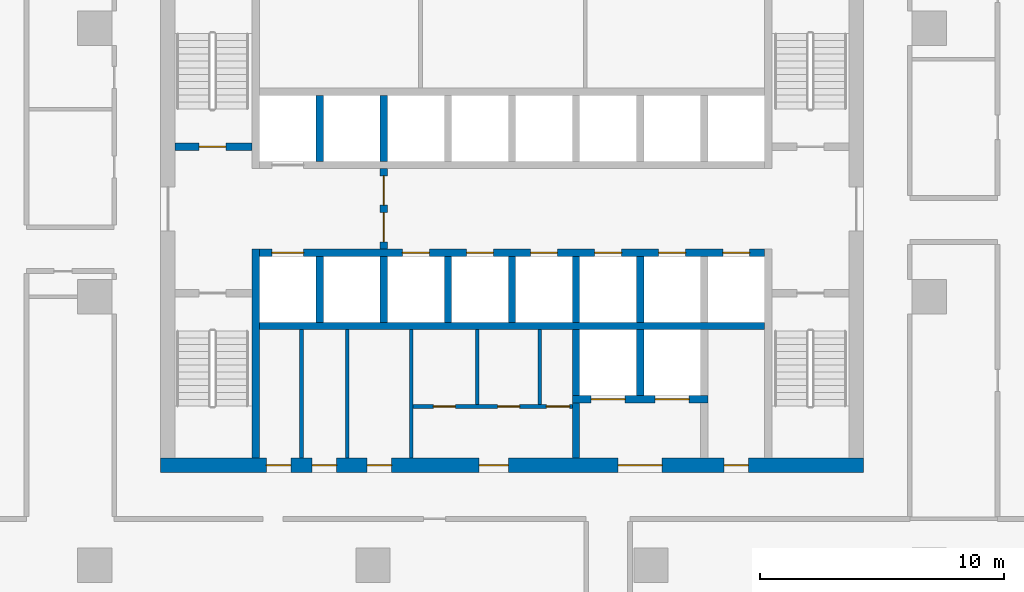
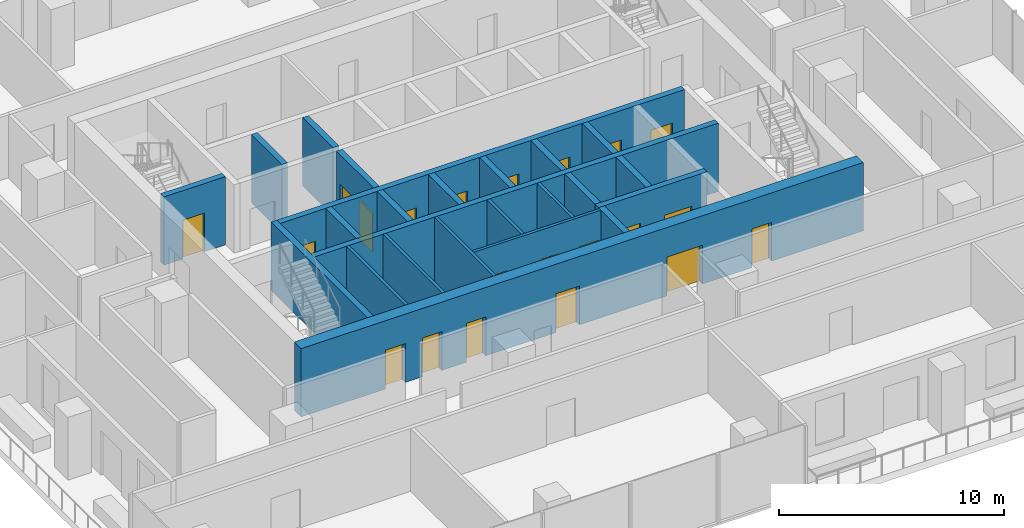
# One storey, part 8 of 14: 24 walls, 21 doors, 21 openings.
"""IFC4 building model written with IfcOpenShell, lengths in metres."""

from ifc_helpers import new_model, si_unit, direction, frame, frame_2d, origin, place, context, subcontext, project, spatial, rectangle, extrude, material, layer, layer_set, type_object, element, fill, save


model = new_model("IFC4")

# Units and contexts
model_context = context("Model", 3, precision=1e-05, world=origin(), true_north=direction((0.0, 1.0)))
body_context = subcontext(model_context, "Body", "Model", "MODEL_VIEW")
ifc_project = project(units=[si_unit("LENGTHUNIT", "METRE"), si_unit("AREAUNIT", "SQUARE_METRE"), si_unit("VOLUMEUNIT", "CUBIC_METRE"), si_unit("PLANEANGLEUNIT", "RADIAN"), si_unit("MASSUNIT", "GRAM", prefix="KILO")], contexts=[model_context])

# Site, building, storey
site_placement = place(None, origin())
site = spatial("IfcSite", under=ifc_project, at=site_placement, CompositionType="ELEMENT")
building_placement = place(site_placement, origin())
building = spatial("IfcBuilding", under=site, at=building_placement, Name="Mopane Tessera Tower", CompositionType="ELEMENT")
storey_placement = place(building_placement, frame((0.0, 0.0, 201.0)))
storey = spatial("IfcBuildingStorey", under=building, at=storey_placement, Name="L42", CompositionType="ELEMENT", Elevation=201.0)

# Walls
ifc_material_1 = material(Name="Fire-rated gypsum board partition")
ifc_layer_1 = layer(ifc_material_1, 0.14990234375)
ifc_layer_set_1 = layer_set([ifc_layer_1], Name="Fire-rated gypsum board partition")
wall_type_1 = type_object("IfcWallType", Name="Core room partition 150 mm", PredefinedType="PARTITIONING", material=ifc_layer_set_1)
for number, where, z_axis, x_axis, name in (
    (1, (-8.625, -6.60009765625, 0.0), (0.0, 0.0, 1.0), (0.0, 1.0, 0.0), "L42 Room partition"),
    (2, (-6.75, -6.60009765625, 0.0), (0.0, 0.0, 1.0), (0.0, 1.0, 0.0), "L42 Room partition"),
    (3, (-4.125, -6.60009765625, 0.0), (0.0, 0.0, 1.0), (0.0, 1.0, 0.0), "L42 Room partition"),
):
    element("IfcWall", number, at=place(storey_placement, frame(where, z_axis=z_axis, x_axis=x_axis)), inside=storey, type_object=wall_type_1, Name=name, PredefinedType="PARTITIONING", context=body_context, shape_type="SweptSolid", body=[
        extrude(rectangle(XDim=5.25, YDim=0.14990234375, at=frame_2d((2.625, 0.0))), origin(), (0.0, 0.0, 1.0), 3.699951171875),
    ])

# Wall, openings, doors
wall_1_placement = place(storey_placement, frame((-4.050048828125, -4.5, 0.0), z_axis=(0.0, 0.0, 1.0), x_axis=(1.0, 0.0, 0.0)))
wall_1 = element("IfcWall", 4, at=wall_1_placement, inside=storey, type_object=wall_type_1, Name="L42 WC partition", PredefinedType="PARTITIONING", context=body_context, shape_type="SweptSolid", body=[
    extrude(rectangle(XDim=6.525146484375, YDim=0.14990234375, at=frame_2d((3.2626953125, 0.0))), origin(), (0.0, 0.0, 1.0), 3.699951171875),
])
opening_1_placement = place(wall_1_placement, frame((0.824951171875, 0.0, 0.0)))
opening_1 = element("IfcOpeningElement", 5, at=opening_1_placement, cuts=wall_1, Name="Opening WD1", PredefinedType="OPENING", context=body_context, shape_type="SweptSolid", body=[
    extrude(rectangle(XDim=0.89990234375, YDim=2.10009765625, at=frame_2d((0.449951171875, 1.050048828125))), frame((0.0, 0.0869140625, 0.0), z_axis=(0.0, -1.0, 0.0), x_axis=(1.0, 0.0, 0.0)), (0.0, 0.0, 1.0), 0.173828125),
])
opening_2_placement = place(wall_1_placement, frame((3.45751953125, 0.0, 0.0)))
opening_2 = element("IfcOpeningElement", 6, at=opening_2_placement, cuts=wall_1, Name="Opening WD1", PredefinedType="OPENING", context=body_context, shape_type="SweptSolid", body=[
    extrude(rectangle(XDim=0.89990234375, YDim=2.10009765625, at=frame_2d((0.449951171875, 1.050048828125))), frame((0.0, 0.0869140625, 0.0), z_axis=(0.0, -1.0, 0.0), x_axis=(1.0, 0.0, 0.0)), (0.0, 0.0, 1.0), 0.173828125),
])
opening_3_placement = place(wall_1_placement, frame((5.45751953125, 0.0, 0.0)))
opening_3 = element("IfcOpeningElement", 7, at=opening_3_placement, cuts=wall_1, Name="Opening WD2", PredefinedType="OPENING", context=body_context, shape_type="SweptSolid", body=[
    extrude(rectangle(XDim=0.949951171875, YDim=2.10009765625, at=frame_2d((0.47509765625, 1.050048828125))), frame((0.0, 0.0869140625, 0.0), z_axis=(0.0, -1.0, 0.0), x_axis=(1.0, 0.0, 0.0)), (0.0, 0.0, 1.0), 0.173828125),
])
ifc_material_2 = material(Name="Timber door", Category="wood")
door_type_1 = type_object("IfcDoorType", Name="Accessible WC door 950 x 2100", OperationType="SINGLE_SWING_LEFT", PredefinedType="DOOR", material=ifc_material_2)
door_1_placement = place(opening_3_placement, origin())
door_1 = element("IfcDoor", 8, at=door_1_placement, inside=storey, type_object=door_type_1, Name="L42 Accessible WC door", OperationType="SINGLE_SWING_LEFT", OverallHeight=2.10009765625, OverallWidth=0.949951171875, PredefinedType="DOOR", context=body_context, shape_type="SweptSolid", body=[
    extrude(rectangle(XDim=0.949951171875, YDim=2.10009765625, at=frame_2d((0.47509765625, 1.050048828125))), frame((0.0, 0.02490234375, 0.0), z_axis=(0.0, -1.0, 0.0), x_axis=(1.0, 0.0, 0.0)), (0.0, 0.0, 1.0), 0.050048828125),
])
fill(opening_3, door_1)
ifc_material_3 = material(Name="Timber door", Category="wood")
door_type_2 = type_object("IfcDoorType", Name="WC cubicle door 900 x 2100", OperationType="SINGLE_SWING_LEFT", PredefinedType="DOOR", material=ifc_material_3)
door_2_placement = place(opening_1_placement, origin())
door_2 = element("IfcDoor", 9, at=door_2_placement, inside=storey, type_object=door_type_2, Name="L42 Men's WC door", OperationType="SINGLE_SWING_LEFT", OverallHeight=2.10009765625, OverallWidth=0.89990234375, PredefinedType="DOOR", context=body_context, shape_type="SweptSolid", body=[
    extrude(rectangle(XDim=0.89990234375, YDim=2.10009765625, at=frame_2d((0.449951171875, 1.050048828125))), frame((0.0, 0.02490234375, 0.0), z_axis=(0.0, -1.0, 0.0), x_axis=(1.0, 0.0, 0.0)), (0.0, 0.0, 1.0), 0.050048828125),
])
fill(opening_1, door_2)
door_3_placement = place(opening_2_placement, origin())
door_3 = element("IfcDoor", 10, at=door_3_placement, inside=storey, type_object=door_type_2, Name="L42 Women's WC door", OperationType="SINGLE_SWING_LEFT", OverallHeight=2.10009765625, OverallWidth=0.89990234375, PredefinedType="DOOR", context=body_context, shape_type="SweptSolid", body=[
    extrude(rectangle(XDim=0.89990234375, YDim=2.10009765625, at=frame_2d((0.449951171875, 1.050048828125))), frame((0.0, 0.02490234375, 0.0), z_axis=(0.0, -1.0, 0.0), x_axis=(1.0, 0.0, 0.0)), (0.0, 0.0, 1.0), 0.050048828125),
])
fill(opening_2, door_3)

# Walls
for number, where, z_axis, x_axis, name in (
    (11, (-1.425048828125, -4.425048828125, 0.0), (0.0, 0.0, 1.0), (0.0, 1.0, 0.0), "L42 WC partition"),
    (12, (1.139892578125, -4.425048828125, 0.0), (0.0, 0.0, 1.0), (0.0, 1.0, 0.0), "L42 WC partition"),
):
    element("IfcWall", number, at=place(storey_placement, frame(where, z_axis=z_axis, x_axis=x_axis)), inside=storey, type_object=wall_type_1, Name=name, PredefinedType="PARTITIONING", context=body_context, shape_type="SweptSolid", body=[
        extrude(rectangle(XDim=3.074951171875, YDim=0.14990234375, at=frame_2d((1.53759765625, 0.0))), origin(), (0.0, 0.0, 1.0), 3.699951171875),
    ])

# Wall, openings, doors
ifc_material_4 = material(Name="Concrete C70/85", Category="concrete")
ifc_layer_2 = layer(ifc_material_4, 0.60009765625)
ifc_layer_set_2 = layer_set([ifc_layer_2], Name="Concrete C70/85")
wall_type_2 = type_object("IfcWallType", Name="Core shear wall 600 mm", PredefinedType="SHEAR", material=ifc_layer_set_2)
wall_2_placement = place(storey_placement, frame((-14.39990234375, -6.89990234375, 0.0), z_axis=(0.0, 0.0, 1.0), x_axis=(1.0, 0.0, 0.0)))
wall_2 = element("IfcWall", 13, at=wall_2_placement, inside=storey, type_object=wall_type_2, Name="L42 Core wall south", PredefinedType="SHEAR", context=body_context, shape_type="SweptSolid", body=[
    extrude(rectangle(XDim=28.7998046875, YDim=0.60009765625, at=frame_2d((14.39990234375, 0.0))), origin(), (0.0, 0.0, 1.0), 3.699951171875),
])
opening_4_placement = place(wall_2_placement, frame((4.33740234375, 0.0, 0.0)))
opening_4 = element("IfcOpeningElement", 14, at=opening_4_placement, cuts=wall_2, Name="Opening RD1", PredefinedType="OPENING", context=body_context, shape_type="SweptSolid", body=[
    extrude(rectangle(XDim=1.0, YDim=2.10009765625, at=frame_2d((0.5, 1.050048828125))), frame((0.0, 0.31201171875, 0.0), z_axis=(0.0, -1.0, 0.0), x_axis=(1.0, 0.0, 0.0)), (0.0, 0.0, 1.0), 0.6240234375),
])
opening_5_placement = place(wall_2_placement, frame((6.21240234375, 0.0, 0.0)))
opening_5 = element("IfcOpeningElement", 15, at=opening_5_placement, cuts=wall_2, Name="Opening RD1", PredefinedType="OPENING", context=body_context, shape_type="SweptSolid", body=[
    extrude(rectangle(XDim=1.0, YDim=2.10009765625, at=frame_2d((0.5, 1.050048828125))), frame((0.0, 0.31201171875, 0.0), z_axis=(0.0, -1.0, 0.0), x_axis=(1.0, 0.0, 0.0)), (0.0, 0.0, 1.0), 0.6240234375),
])
opening_6_placement = place(wall_2_placement, frame((8.46240234375, 0.0, 0.0)))
opening_6 = element("IfcOpeningElement", 16, at=opening_6_placement, cuts=wall_2, Name="Opening RD1", PredefinedType="OPENING", context=body_context, shape_type="SweptSolid", body=[
    extrude(rectangle(XDim=1.0, YDim=2.10009765625, at=frame_2d((0.5, 1.050048828125))), frame((0.0, 0.31201171875, 0.0), z_axis=(0.0, -1.0, 0.0), x_axis=(1.0, 0.0, 0.0)), (0.0, 0.0, 1.0), 0.6240234375),
])
opening_7_placement = place(wall_2_placement, frame((13.050048828125, 0.0, 0.0)))
opening_7 = element("IfcOpeningElement", 17, at=opening_7_placement, cuts=wall_2, Name="Opening WD3", PredefinedType="OPENING", context=body_context, shape_type="SweptSolid", body=[
    extrude(rectangle(XDim=1.199951171875, YDim=2.10009765625, at=frame_2d((0.60009765625, 1.050048828125))), frame((0.0, 0.31201171875, 0.0), z_axis=(0.0, -1.0, 0.0), x_axis=(1.0, 0.0, 0.0)), (0.0, 0.0, 1.0), 0.6240234375),
])
opening_8_placement = place(wall_2_placement, frame((18.75, 0.0, 0.0)))
opening_8 = element("IfcOpeningElement", 18, at=opening_8_placement, cuts=wall_2, Name="Opening SD2", PredefinedType="OPENING", context=body_context, shape_type="SweptSolid", body=[
    extrude(rectangle(XDim=1.800048828125, YDim=2.10009765625, at=frame_2d((0.89990234375, 1.050048828125))), frame((0.0, 0.31201171875, 0.0), z_axis=(0.0, -1.0, 0.0), x_axis=(1.0, 0.0, 0.0)), (0.0, 0.0, 1.0), 0.6240234375),
])
opening_9_placement = place(wall_2_placement, frame((23.08740234375, 0.0, 0.0)))
opening_9 = element("IfcOpeningElement", 19, at=opening_9_placement, cuts=wall_2, Name="Opening RD1", PredefinedType="OPENING", context=body_context, shape_type="SweptSolid", body=[
    extrude(rectangle(XDim=1.0, YDim=2.10009765625, at=frame_2d((0.5, 1.050048828125))), frame((0.0, 0.31201171875, 0.0), z_axis=(0.0, -1.0, 0.0), x_axis=(1.0, 0.0, 0.0)), (0.0, 0.0, 1.0), 0.6240234375),
])
ifc_material_5 = material(Name="Steel fire door", Category="steel")
door_type_3 = type_object("IfcDoorType", Name="Core entrance double door 1800 x 2100", OperationType="DOUBLE_DOOR_SINGLE_SWING", PredefinedType="DOOR", material=ifc_material_5)
door_4_placement = place(opening_8_placement, origin())
door_4 = element("IfcDoor", 20, at=door_4_placement, inside=storey, type_object=door_type_3, Name="L42 Service lobby door", OperationType="DOUBLE_DOOR_SINGLE_SWING", OverallHeight=2.10009765625, OverallWidth=1.800048828125, PredefinedType="DOOR", context=body_context, shape_type="SweptSolid", body=[
    extrude(rectangle(XDim=1.800048828125, YDim=2.10009765625, at=frame_2d((0.89990234375, 1.050048828125))), frame((0.0, 0.02490234375, 0.0), z_axis=(0.0, -1.0, 0.0), x_axis=(1.0, 0.0, 0.0)), (0.0, 0.0, 1.0), 0.050048828125),
])
fill(opening_8, door_4)
ifc_material_6 = material(Name="Timber door", Category="wood")
door_type_4 = type_object("IfcDoorType", Name="Core room door 1000 x 2100", OperationType="SINGLE_SWING_LEFT", PredefinedType="DOOR", material=ifc_material_6)
door_5_placement = place(opening_4_placement, origin())
door_5 = element("IfcDoor", 21, at=door_5_placement, inside=storey, type_object=door_type_4, Name="L42 Room door", OperationType="SINGLE_SWING_LEFT", OverallHeight=2.10009765625, OverallWidth=1.0, PredefinedType="DOOR", context=body_context, shape_type="SweptSolid", body=[
    extrude(rectangle(XDim=1.0, YDim=2.10009765625, at=frame_2d((0.5, 1.050048828125))), frame((0.0, 0.02490234375, 0.0), z_axis=(0.0, -1.0, 0.0), x_axis=(1.0, 0.0, 0.0)), (0.0, 0.0, 1.0), 0.050048828125),
])
fill(opening_4, door_5)
door_6_placement = place(opening_5_placement, origin())
door_6 = element("IfcDoor", 22, at=door_6_placement, inside=storey, type_object=door_type_4, Name="L42 Room door", OperationType="SINGLE_SWING_LEFT", OverallHeight=2.10009765625, OverallWidth=1.0, PredefinedType="DOOR", context=body_context, shape_type="SweptSolid", body=[
    extrude(rectangle(XDim=1.0, YDim=2.10009765625, at=frame_2d((0.5, 1.050048828125))), frame((0.0, 0.02490234375, 0.0), z_axis=(0.0, -1.0, 0.0), x_axis=(1.0, 0.0, 0.0)), (0.0, 0.0, 1.0), 0.050048828125),
])
fill(opening_5, door_6)
door_7_placement = place(opening_6_placement, origin())
door_7 = element("IfcDoor", 23, at=door_7_placement, inside=storey, type_object=door_type_4, Name="L42 Room door", OperationType="SINGLE_SWING_LEFT", OverallHeight=2.10009765625, OverallWidth=1.0, PredefinedType="DOOR", context=body_context, shape_type="SweptSolid", body=[
    extrude(rectangle(XDim=1.0, YDim=2.10009765625, at=frame_2d((0.5, 1.050048828125))), frame((0.0, 0.02490234375, 0.0), z_axis=(0.0, -1.0, 0.0), x_axis=(1.0, 0.0, 0.0)), (0.0, 0.0, 1.0), 0.050048828125),
])
fill(opening_6, door_7)
door_8_placement = place(opening_9_placement, origin())
door_8 = element("IfcDoor", 24, at=door_8_placement, inside=storey, type_object=door_type_4, Name="L42 Room door", OperationType="SINGLE_SWING_LEFT", OverallHeight=2.10009765625, OverallWidth=1.0, PredefinedType="DOOR", context=body_context, shape_type="SweptSolid", body=[
    extrude(rectangle(XDim=1.0, YDim=2.10009765625, at=frame_2d((0.5, 1.050048828125))), frame((0.0, 0.02490234375, 0.0), z_axis=(0.0, -1.0, 0.0), x_axis=(1.0, 0.0, 0.0)), (0.0, 0.0, 1.0), 0.050048828125),
])
fill(opening_9, door_8)
ifc_material_7 = material(Name="Timber door", Category="wood")
door_type_5 = type_object("IfcDoorType", Name="WC lobby door 1200 x 2100", OperationType="SINGLE_SWING_LEFT", PredefinedType="DOOR", material=ifc_material_7)
door_9_placement = place(opening_7_placement, origin())
door_9 = element("IfcDoor", 25, at=door_9_placement, inside=storey, type_object=door_type_5, Name="L42 WC lobby door", OperationType="SINGLE_SWING_LEFT", OverallHeight=2.10009765625, OverallWidth=1.199951171875, PredefinedType="DOOR", context=body_context, shape_type="SweptSolid", body=[
    extrude(rectangle(XDim=1.199951171875, YDim=2.10009765625, at=frame_2d((0.60009765625, 1.050048828125))), frame((0.0, 0.02490234375, 0.0), z_axis=(0.0, -1.0, 0.0), x_axis=(1.0, 0.0, 0.0)), (0.0, 0.0, 1.0), 0.050048828125),
])
fill(opening_7, door_9)

# Wall
ifc_material_8 = material(Name="Concrete C60/75", Category="concrete")
ifc_layer_3 = layer(ifc_material_8, 0.300048828125)
ifc_layer_set_3 = layer_set([ifc_layer_3], Name="Concrete C60/75")
wall_type_3 = type_object("IfcWallType", Name="Core spine wall 300 mm", PredefinedType="SHEAR", material=ifc_layer_set_3)
wall_3_placement = place(storey_placement, frame((-10.5, -6.60009765625, 0.0), z_axis=(0.0, 0.0, 1.0), x_axis=(0.0, 1.0, 0.0)))
element("IfcWall", 26, at=wall_3_placement, inside=storey, type_object=wall_type_3, Name="L42 Core spine wall", PredefinedType="SHEAR", context=body_context, shape_type="SweptSolid", body=[
    extrude(rectangle(XDim=8.550048828125, YDim=0.300048828125, at=frame_2d((4.27490234375, 0.0))), origin(), (0.0, 0.0, 1.0), 3.699951171875),
])

# Wall, opening, door
ifc_material_9 = material(Name="Concrete C50/60", Category="concrete")
ifc_layer_4 = layer(ifc_material_9, 0.300048828125)
ifc_layer_set_4 = layer_set([ifc_layer_4], Name="Concrete C50/60")
wall_type_4 = type_object("IfcWallType", Name="Lift and stair shaft wall 300 mm", PredefinedType="SOLIDWALL", material=ifc_layer_set_4)
wall_4_placement = place(storey_placement, frame((-13.800048828125, 6.14990234375, 0.0), z_axis=(0.0, 0.0, 1.0), x_axis=(1.0, 0.0, 0.0)))
wall_4 = element("IfcWall", 27, at=wall_4_placement, inside=storey, type_object=wall_type_4, Name="L42 Stair enclosure wall", PredefinedType="SOLIDWALL", context=body_context, shape_type="SweptSolid", body=[
    extrude(rectangle(XDim=3.150146484375, YDim=0.300048828125, at=frame_2d((1.5751953125, 0.0))), origin(), (0.0, 0.0, 1.0), 3.699951171875),
])
opening_10_placement = place(wall_4_placement, frame((0.97509765625, 0.0, 0.0)))
opening_10 = element("IfcOpeningElement", 28, at=opening_10_placement, cuts=wall_4, Name="Opening SD1", PredefinedType="OPENING", context=body_context, shape_type="SweptSolid", body=[
    extrude(rectangle(XDim=1.10009765625, YDim=2.10009765625, at=frame_2d((0.550048828125, 1.050048828125))), frame((0.0, 0.162109375, 0.0), z_axis=(0.0, -1.0, 0.0), x_axis=(1.0, 0.0, 0.0)), (0.0, 0.0, 1.0), 0.323974609375),
])
ifc_material_10 = material(Name="Steel fire door", Category="steel")
door_type_6 = type_object("IfcDoorType", Name="Stair fire door 1100 x 2100", OperationType="SINGLE_SWING_LEFT", PredefinedType="DOOR", material=ifc_material_10)
door_10_placement = place(opening_10_placement, origin())
door_10 = element("IfcDoor", 29, at=door_10_placement, inside=storey, type_object=door_type_6, Name="L42 Stair door ST2", OperationType="SINGLE_SWING_LEFT", OverallHeight=2.10009765625, OverallWidth=1.10009765625, PredefinedType="DOOR", context=body_context, shape_type="SweptSolid", body=[
    extrude(rectangle(XDim=1.10009765625, YDim=2.10009765625, at=frame_2d((0.550048828125, 1.050048828125))), frame((0.0, 0.02490234375, 0.0), z_axis=(0.0, -1.0, 0.0), x_axis=(1.0, 0.0, 0.0)), (0.0, 0.0, 1.0), 0.050048828125),
])
fill(opening_10, door_10)

# Wall
wall_5_placement = place(storey_placement, frame((-10.35009765625, -1.199951171875, 0.0), z_axis=(0.0, 0.0, 1.0), x_axis=(1.0, 0.0, 0.0)))
element("IfcWall", 30, at=wall_5_placement, inside=storey, type_object=wall_type_4, Name="L42 Lift shaft rear wall", PredefinedType="SOLIDWALL", context=body_context, shape_type="SweptSolid", body=[
    extrude(rectangle(XDim=20.7001953125, YDim=0.300048828125, at=frame_2d((10.35009765625, 0.0))), origin(), (0.0, 0.0, 1.0), 3.699951171875),
])

# Wall, openings, doors
wall_6_placement = place(storey_placement, frame((-10.35009765625, 1.800048828125, 0.0), z_axis=(0.0, 0.0, 1.0), x_axis=(1.0, 0.0, 0.0)))
wall_6 = element("IfcWall", 31, at=wall_6_placement, inside=storey, type_object=wall_type_4, Name="L42 Lift shaft front wall", PredefinedType="SOLIDWALL", context=body_context, shape_type="SweptSolid", body=[
    extrude(rectangle(XDim=20.7001953125, YDim=0.300048828125, at=frame_2d((10.35009765625, 0.0))), origin(), (0.0, 0.0, 1.0), 3.699951171875),
])
opening_11_placement = place(wall_6_placement, frame((0.512451171875, 0.0, 0.0)))
opening_11 = element("IfcOpeningElement", 32, at=opening_11_placement, cuts=wall_6, Name="Opening LD2", PredefinedType="OPENING", context=body_context, shape_type="SweptSolid", body=[
    extrude(rectangle(XDim=1.300048828125, YDim=2.10009765625, at=frame_2d((0.64990234375, 1.050048828125))), frame((0.0, 0.162109375, 0.0), z_axis=(0.0, -1.0, 0.0), x_axis=(1.0, 0.0, 0.0)), (0.0, 0.0, 1.0), 0.323974609375),
])
opening_12_placement = place(wall_6_placement, frame((5.862548828125, 0.0, 0.0)))
opening_12 = element("IfcOpeningElement", 33, at=opening_12_placement, cuts=wall_6, Name="Opening LD", PredefinedType="OPENING", context=body_context, shape_type="SweptSolid", body=[
    extrude(rectangle(XDim=1.10009765625, YDim=2.10009765625, at=frame_2d((0.550048828125, 1.050048828125))), frame((0.0, 0.162109375, 0.0), z_axis=(0.0, -1.0, 0.0), x_axis=(1.0, 0.0, 0.0)), (0.0, 0.0, 1.0), 0.323974609375),
])
opening_13_placement = place(wall_6_placement, frame((8.487548828125, 0.0, 0.0)))
opening_13 = element("IfcOpeningElement", 34, at=opening_13_placement, cuts=wall_6, Name="Opening LD", PredefinedType="OPENING", context=body_context, shape_type="SweptSolid", body=[
    extrude(rectangle(XDim=1.10009765625, YDim=2.10009765625, at=frame_2d((0.550048828125, 1.050048828125))), frame((0.0, 0.162109375, 0.0), z_axis=(0.0, -1.0, 0.0), x_axis=(1.0, 0.0, 0.0)), (0.0, 0.0, 1.0), 0.323974609375),
])
opening_14_placement = place(wall_6_placement, frame((11.112548828125, 0.0, 0.0)))
opening_14 = element("IfcOpeningElement", 35, at=opening_14_placement, cuts=wall_6, Name="Opening LD", PredefinedType="OPENING", context=body_context, shape_type="SweptSolid", body=[
    extrude(rectangle(XDim=1.10009765625, YDim=2.10009765625, at=frame_2d((0.550048828125, 1.050048828125))), frame((0.0, 0.162109375, 0.0), z_axis=(0.0, -1.0, 0.0), x_axis=(1.0, 0.0, 0.0)), (0.0, 0.0, 1.0), 0.323974609375),
])
opening_15_placement = place(wall_6_placement, frame((13.737548828125, 0.0, 0.0)))
opening_15 = element("IfcOpeningElement", 36, at=opening_15_placement, cuts=wall_6, Name="Opening LD", PredefinedType="OPENING", context=body_context, shape_type="SweptSolid", body=[
    extrude(rectangle(XDim=1.10009765625, YDim=2.10009765625, at=frame_2d((0.550048828125, 1.050048828125))), frame((0.0, 0.162109375, 0.0), z_axis=(0.0, -1.0, 0.0), x_axis=(1.0, 0.0, 0.0)), (0.0, 0.0, 1.0), 0.323974609375),
])
opening_16_placement = place(wall_6_placement, frame((16.362548828125, 0.0, 0.0)))
opening_16 = element("IfcOpeningElement", 37, at=opening_16_placement, cuts=wall_6, Name="Opening LD", PredefinedType="OPENING", context=body_context, shape_type="SweptSolid", body=[
    extrude(rectangle(XDim=1.10009765625, YDim=2.10009765625, at=frame_2d((0.550048828125, 1.050048828125))), frame((0.0, 0.162109375, 0.0), z_axis=(0.0, -1.0, 0.0), x_axis=(1.0, 0.0, 0.0)), (0.0, 0.0, 1.0), 0.323974609375),
])
opening_17_placement = place(wall_6_placement, frame((18.987548828125, 0.0, 0.0)))
opening_17 = element("IfcOpeningElement", 38, at=opening_17_placement, cuts=wall_6, Name="Opening LD", PredefinedType="OPENING", context=body_context, shape_type="SweptSolid", body=[
    extrude(rectangle(XDim=1.10009765625, YDim=2.10009765625, at=frame_2d((0.550048828125, 1.050048828125))), frame((0.0, 0.162109375, 0.0), z_axis=(0.0, -1.0, 0.0), x_axis=(1.0, 0.0, 0.0)), (0.0, 0.0, 1.0), 0.323974609375),
])
ifc_material_11 = material(Name="Stainless steel sliding door", Category="steel")
door_type_7 = type_object("IfcDoorType", Name="Fire-fighting lift landing door 1300 x 2100", OperationType="DOUBLE_DOOR_SLIDING", PredefinedType="DOOR", material=ifc_material_11)
door_11_placement = place(opening_11_placement, origin())
door_11 = element("IfcDoor", 39, at=door_11_placement, inside=storey, type_object=door_type_7, Name="L42 Lift landing door FF1", OperationType="DOUBLE_DOOR_SLIDING", OverallHeight=2.10009765625, OverallWidth=1.300048828125, PredefinedType="DOOR", context=body_context, shape_type="SweptSolid", body=[
    extrude(rectangle(XDim=1.300048828125, YDim=2.10009765625, at=frame_2d((0.64990234375, 1.050048828125))), frame((0.0, 0.02490234375, 0.0), z_axis=(0.0, -1.0, 0.0), x_axis=(1.0, 0.0, 0.0)), (0.0, 0.0, 1.0), 0.050048828125),
])
fill(opening_11, door_11)
ifc_material_12 = material(Name="Stainless steel sliding door", Category="steel")
door_type_8 = type_object("IfcDoorType", Name="Lift landing door 1100 x 2100", OperationType="DOUBLE_DOOR_SLIDING", PredefinedType="DOOR", material=ifc_material_12)
door_12_placement = place(opening_12_placement, origin())
door_12 = element("IfcDoor", 40, at=door_12_placement, inside=storey, type_object=door_type_8, Name="L42 Lift landing door LR1", OperationType="DOUBLE_DOOR_SLIDING", OverallHeight=2.10009765625, OverallWidth=1.10009765625, PredefinedType="DOOR", context=body_context, shape_type="SweptSolid", body=[
    extrude(rectangle(XDim=1.10009765625, YDim=2.10009765625, at=frame_2d((0.550048828125, 1.050048828125))), frame((0.0, 0.02490234375, 0.0), z_axis=(0.0, -1.0, 0.0), x_axis=(1.0, 0.0, 0.0)), (0.0, 0.0, 1.0), 0.050048828125),
])
fill(opening_12, door_12)
door_13_placement = place(opening_13_placement, origin())
door_13 = element("IfcDoor", 41, at=door_13_placement, inside=storey, type_object=door_type_8, Name="L42 Lift landing door LR2", OperationType="DOUBLE_DOOR_SLIDING", OverallHeight=2.10009765625, OverallWidth=1.10009765625, PredefinedType="DOOR", context=body_context, shape_type="SweptSolid", body=[
    extrude(rectangle(XDim=1.10009765625, YDim=2.10009765625, at=frame_2d((0.550048828125, 1.050048828125))), frame((0.0, 0.02490234375, 0.0), z_axis=(0.0, -1.0, 0.0), x_axis=(1.0, 0.0, 0.0)), (0.0, 0.0, 1.0), 0.050048828125),
])
fill(opening_13, door_13)
door_14_placement = place(opening_14_placement, origin())
door_14 = element("IfcDoor", 42, at=door_14_placement, inside=storey, type_object=door_type_8, Name="L42 Lift landing door LR3", OperationType="DOUBLE_DOOR_SLIDING", OverallHeight=2.10009765625, OverallWidth=1.10009765625, PredefinedType="DOOR", context=body_context, shape_type="SweptSolid", body=[
    extrude(rectangle(XDim=1.10009765625, YDim=2.10009765625, at=frame_2d((0.550048828125, 1.050048828125))), frame((0.0, 0.02490234375, 0.0), z_axis=(0.0, -1.0, 0.0), x_axis=(1.0, 0.0, 0.0)), (0.0, 0.0, 1.0), 0.050048828125),
])
fill(opening_14, door_14)
door_15_placement = place(opening_15_placement, origin())
door_15 = element("IfcDoor", 43, at=door_15_placement, inside=storey, type_object=door_type_8, Name="L42 Lift landing door LR4", OperationType="DOUBLE_DOOR_SLIDING", OverallHeight=2.10009765625, OverallWidth=1.10009765625, PredefinedType="DOOR", context=body_context, shape_type="SweptSolid", body=[
    extrude(rectangle(XDim=1.10009765625, YDim=2.10009765625, at=frame_2d((0.550048828125, 1.050048828125))), frame((0.0, 0.02490234375, 0.0), z_axis=(0.0, -1.0, 0.0), x_axis=(1.0, 0.0, 0.0)), (0.0, 0.0, 1.0), 0.050048828125),
])
fill(opening_15, door_15)
door_16_placement = place(opening_16_placement, origin())
door_16 = element("IfcDoor", 44, at=door_16_placement, inside=storey, type_object=door_type_8, Name="L42 Lift landing door LR5", OperationType="DOUBLE_DOOR_SLIDING", OverallHeight=2.10009765625, OverallWidth=1.10009765625, PredefinedType="DOOR", context=body_context, shape_type="SweptSolid", body=[
    extrude(rectangle(XDim=1.10009765625, YDim=2.10009765625, at=frame_2d((0.550048828125, 1.050048828125))), frame((0.0, 0.02490234375, 0.0), z_axis=(0.0, -1.0, 0.0), x_axis=(1.0, 0.0, 0.0)), (0.0, 0.0, 1.0), 0.050048828125),
])
fill(opening_16, door_16)
door_17_placement = place(opening_17_placement, origin())
door_17 = element("IfcDoor", 45, at=door_17_placement, inside=storey, type_object=door_type_8, Name="L42 Lift landing door LR6", OperationType="DOUBLE_DOOR_SLIDING", OverallHeight=2.10009765625, OverallWidth=1.10009765625, PredefinedType="DOOR", context=body_context, shape_type="SweptSolid", body=[
    extrude(rectangle(XDim=1.10009765625, YDim=2.10009765625, at=frame_2d((0.550048828125, 1.050048828125))), frame((0.0, 0.02490234375, 0.0), z_axis=(0.0, -1.0, 0.0), x_axis=(1.0, 0.0, 0.0)), (0.0, 0.0, 1.0), 0.050048828125),
])
fill(opening_17, door_17)

# Walls
for number, where, z_axis, x_axis, name in (
    (46, (-7.875, -1.050048828125, 0.0), (0.0, 0.0, 1.0), (0.0, 1.0, 0.0), "L42 Lift shaft wall"),
    (47, (-5.25, -1.050048828125, 0.0), (0.0, 0.0, 1.0), (0.0, 1.0, 0.0), "L42 Lift shaft wall"),
    (48, (-2.625, -1.050048828125, 0.0), (0.0, 0.0, 1.0), (0.0, 1.0, 0.0), "L42 Lift shaft wall"),
    (49, (0.0, -1.050048828125, 0.0), (0.0, 0.0, 1.0), (0.0, 1.0, 0.0), "L42 Lift shaft wall"),
    (50, (2.625, -1.050048828125, 0.0), (0.0, 0.0, 1.0), (0.0, 1.0, 0.0), "L42 Lift shaft wall"),
    (51, (5.25, -1.050048828125, 0.0), (0.0, 0.0, 1.0), (0.0, 1.0, 0.0), "L42 Lift shaft wall"),
    (52, (-7.875, 5.550048828125, 0.0), (0.0, 0.0, 1.0), (0.0, 1.0, 0.0), "L42 Lift shaft wall"),
    (53, (-5.25, 5.550048828125, 0.0), (0.0, 0.0, 1.0), (0.0, 1.0, 0.0), "L42 Lift shaft wall"),
):
    element("IfcWall", number, at=place(storey_placement, frame(where, z_axis=z_axis, x_axis=x_axis)), inside=storey, type_object=wall_type_4, Name=name, PredefinedType="SOLIDWALL", context=body_context, shape_type="SweptSolid", body=[
        extrude(rectangle(XDim=2.699951171875, YDim=0.300048828125, at=frame_2d((1.35009765625, 0.0))), origin(), (0.0, 0.0, 1.0), 3.699951171875),
    ])

# Wall, openings, doors
wall_7_placement = place(storey_placement, frame((2.47509765625, -4.199951171875, 0.0), z_axis=(0.0, 0.0, 1.0), x_axis=(1.0, 0.0, 0.0)))
wall_7 = element("IfcWall", 54, at=wall_7_placement, inside=storey, type_object=wall_type_4, Name="L42 Lift shaft front wall", PredefinedType="SOLIDWALL", context=body_context, shape_type="SweptSolid", body=[
    extrude(rectangle(XDim=5.5498046875, YDim=0.300048828125, at=frame_2d((2.77490234375, 0.0))), origin(), (0.0, 0.0, 1.0), 3.699951171875),
])
opening_18_placement = place(wall_7_placement, frame((0.762451171875, 0.0, 0.0)))
opening_18 = element("IfcOpeningElement", 55, at=opening_18_placement, cuts=wall_7, Name="Opening LD3", PredefinedType="OPENING", context=body_context, shape_type="SweptSolid", body=[
    extrude(rectangle(XDim=1.39990234375, YDim=2.10009765625, at=frame_2d((0.699951171875, 1.050048828125))), frame((0.0, 0.162109375, 0.0), z_axis=(0.0, -1.0, 0.0), x_axis=(1.0, 0.0, 0.0)), (0.0, 0.0, 1.0), 0.323974609375),
])
opening_19_placement = place(wall_7_placement, frame((3.387451171875, 0.0, 0.0)))
opening_19 = element("IfcOpeningElement", 56, at=opening_19_placement, cuts=wall_7, Name="Opening LD3", PredefinedType="OPENING", context=body_context, shape_type="SweptSolid", body=[
    extrude(rectangle(XDim=1.39990234375, YDim=2.10009765625, at=frame_2d((0.699951171875, 1.050048828125))), frame((0.0, 0.162109375, 0.0), z_axis=(0.0, -1.0, 0.0), x_axis=(1.0, 0.0, 0.0)), (0.0, 0.0, 1.0), 0.323974609375),
])
ifc_material_13 = material(Name="Stainless steel sliding door", Category="steel")
door_type_9 = type_object("IfcDoorType", Name="Service lift landing door 1400 x 2100", OperationType="DOUBLE_DOOR_SLIDING", PredefinedType="DOOR", material=ifc_material_13)
door_18_placement = place(opening_18_placement, origin())
door_18 = element("IfcDoor", 57, at=door_18_placement, inside=storey, type_object=door_type_9, Name="L42 Lift landing door SV1", OperationType="DOUBLE_DOOR_SLIDING", OverallHeight=2.10009765625, OverallWidth=1.39990234375, PredefinedType="DOOR", context=body_context, shape_type="SweptSolid", body=[
    extrude(rectangle(XDim=1.39990234375, YDim=2.10009765625, at=frame_2d((0.699951171875, 1.050048828125))), frame((0.0, 0.02490234375, 0.0), z_axis=(0.0, -1.0, 0.0), x_axis=(1.0, 0.0, 0.0)), (0.0, 0.0, 1.0), 0.050048828125),
])
fill(opening_18, door_18)
door_19_placement = place(opening_19_placement, origin())
door_19 = element("IfcDoor", 58, at=door_19_placement, inside=storey, type_object=door_type_9, Name="L42 Lift landing door SV2", OperationType="DOUBLE_DOOR_SLIDING", OverallHeight=2.10009765625, OverallWidth=1.39990234375, PredefinedType="DOOR", context=body_context, shape_type="SweptSolid", body=[
    extrude(rectangle(XDim=1.39990234375, YDim=2.10009765625, at=frame_2d((0.699951171875, 1.050048828125))), frame((0.0, 0.02490234375, 0.0), z_axis=(0.0, -1.0, 0.0), x_axis=(1.0, 0.0, 0.0)), (0.0, 0.0, 1.0), 0.050048828125),
])
fill(opening_19, door_19)

# Walls
for number, where, z_axis, x_axis, name in (
    (59, (2.625, -4.050048828125, 0.0), (0.0, 0.0, 1.0), (0.0, 1.0, 0.0), "L42 Lift shaft wall"),
    (60, (5.25, -4.050048828125, 0.0), (0.0, 0.0, 1.0), (0.0, 1.0, 0.0), "L42 Lift shaft wall"),
):
    element("IfcWall", number, at=place(storey_placement, frame(where, z_axis=z_axis, x_axis=x_axis)), inside=storey, type_object=wall_type_4, Name=name, PredefinedType="SOLIDWALL", context=body_context, shape_type="SweptSolid", body=[
        extrude(rectangle(XDim=2.699951171875, YDim=0.300048828125, at=frame_2d((1.35009765625, 0.0))), origin(), (0.0, 0.0, 1.0), 3.699951171875),
    ])

# Wall, openings, doors
ifc_material_14 = material(Name="Concrete C50/60", Category="concrete")
ifc_layer_5 = layer(ifc_material_14, 0.300048828125)
ifc_layer_set_5 = layer_set([ifc_layer_5], Name="Concrete C50/60")
wall_type_5 = type_object("IfcWallType", Name="Lobby and refuge room wall 300 mm", PredefinedType="SOLIDWALL", material=ifc_layer_set_5)
wall_8_placement = place(storey_placement, frame((-5.25, 1.949951171875, 0.0), z_axis=(0.0, 0.0, 1.0), x_axis=(0.0, 1.0, 0.0)))
wall_8 = element("IfcWall", 61, at=wall_8_placement, inside=storey, type_object=wall_type_5, Name="L42 Fire-fighting lobby wall", PredefinedType="SOLIDWALL", context=body_context, shape_type="SweptSolid", body=[
    extrude(rectangle(XDim=3.300048828125, YDim=0.300048828125, at=frame_2d((1.64990234375, 0.0))), origin(), (0.0, 0.0, 1.0), 3.699951171875),
])
opening_20_placement = place(wall_8_placement, frame((0.300048828125, 0.0, 0.0)))
opening_20 = element("IfcOpeningElement", 62, at=opening_20_placement, cuts=wall_8, Name="Opening SD3", PredefinedType="OPENING", context=body_context, shape_type="SweptSolid", body=[
    extrude(rectangle(XDim=1.199951171875, YDim=2.10009765625, at=frame_2d((0.60009765625, 1.050048828125))), frame((0.0, 0.162109375, 0.0), z_axis=(0.0, -1.0, 0.0), x_axis=(1.0, 0.0, 0.0)), (0.0, 0.0, 1.0), 0.323974609375),
])
opening_21_placement = place(wall_8_placement, frame((1.800048828125, 0.0, 0.0)))
opening_21 = element("IfcOpeningElement", 63, at=opening_21_placement, cuts=wall_8, Name="Opening SD3", PredefinedType="OPENING", context=body_context, shape_type="SweptSolid", body=[
    extrude(rectangle(XDim=1.199951171875, YDim=2.10009765625, at=frame_2d((0.60009765625, 1.050048828125))), frame((0.0, 0.162109375, 0.0), z_axis=(0.0, -1.0, 0.0), x_axis=(1.0, 0.0, 0.0)), (0.0, 0.0, 1.0), 0.323974609375),
])
ifc_material_15 = material(Name="Steel fire door", Category="steel")
door_type_10 = type_object("IfcDoorType", Name="Lobby fire door 1200 x 2100", OperationType="SINGLE_SWING_LEFT", PredefinedType="DOOR", material=ifc_material_15)
door_20_placement = place(opening_20_placement, origin())
door_20 = element("IfcDoor", 64, at=door_20_placement, inside=storey, type_object=door_type_10, Name="L42 Fire-fighting lobby door", OperationType="SINGLE_SWING_LEFT", OverallHeight=2.10009765625, OverallWidth=1.199951171875, PredefinedType="DOOR", context=body_context, shape_type="SweptSolid", body=[
    extrude(rectangle(XDim=1.199951171875, YDim=2.10009765625, at=frame_2d((0.60009765625, 1.050048828125))), frame((0.0, 0.02490234375, 0.0), z_axis=(0.0, -1.0, 0.0), x_axis=(1.0, 0.0, 0.0)), (0.0, 0.0, 1.0), 0.050048828125),
])
fill(opening_20, door_20)
door_21_placement = place(opening_21_placement, origin())
door_21 = element("IfcDoor", 65, at=door_21_placement, inside=storey, type_object=door_type_10, Name="L42 Fire-fighting lobby door", OperationType="SINGLE_SWING_RIGHT", OverallHeight=2.10009765625, OverallWidth=1.199951171875, PredefinedType="DOOR", context=body_context, shape_type="SweptSolid", body=[
    extrude(rectangle(XDim=1.199951171875, YDim=2.10009765625, at=frame_2d((0.60009765625, 1.050048828125))), frame((0.0, 0.02490234375, 0.0), z_axis=(0.0, -1.0, 0.0), x_axis=(1.0, 0.0, 0.0)), (0.0, 0.0, 1.0), 0.050048828125),
])
fill(opening_21, door_21)

# Wall
wall_9_placement = place(storey_placement, frame((2.625, -6.60009765625, 0.0), z_axis=(0.0, 0.0, 1.0), x_axis=(0.0, 1.0, 0.0)))
element("IfcWall", 66, at=wall_9_placement, inside=storey, type_object=wall_type_5, Name="L42 Service lobby wall", PredefinedType="SOLIDWALL", context=body_context, shape_type="SweptSolid", body=[
    extrude(rectangle(XDim=2.25, YDim=0.300048828125, at=frame_2d((1.125, 0.0))), origin(), (0.0, 0.0, 1.0), 3.699951171875),
])

save(model, "model.ifc")
